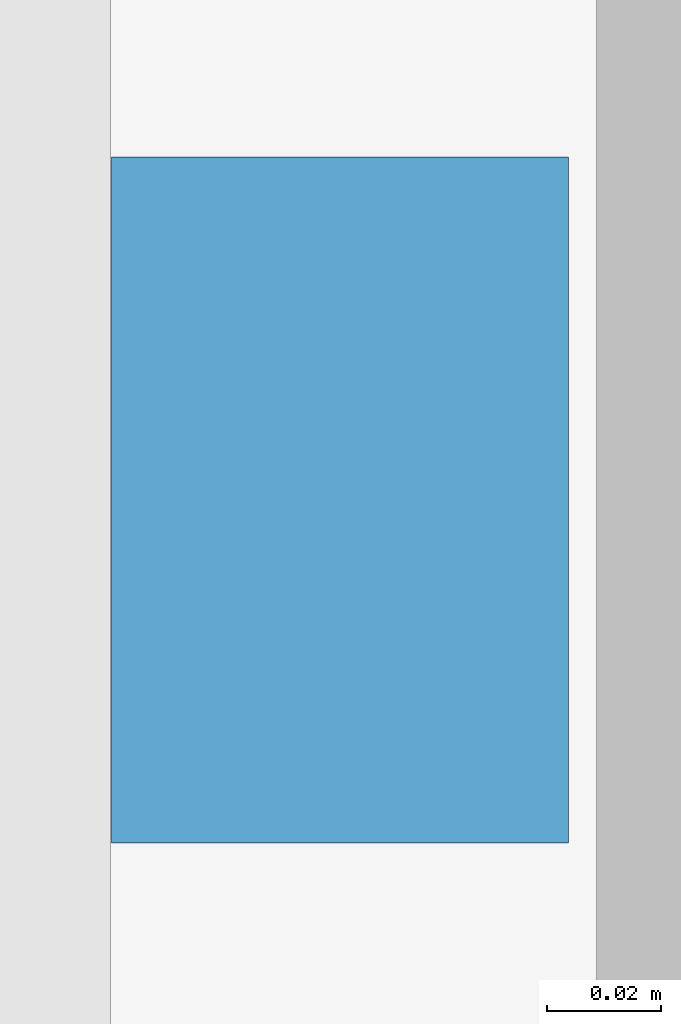
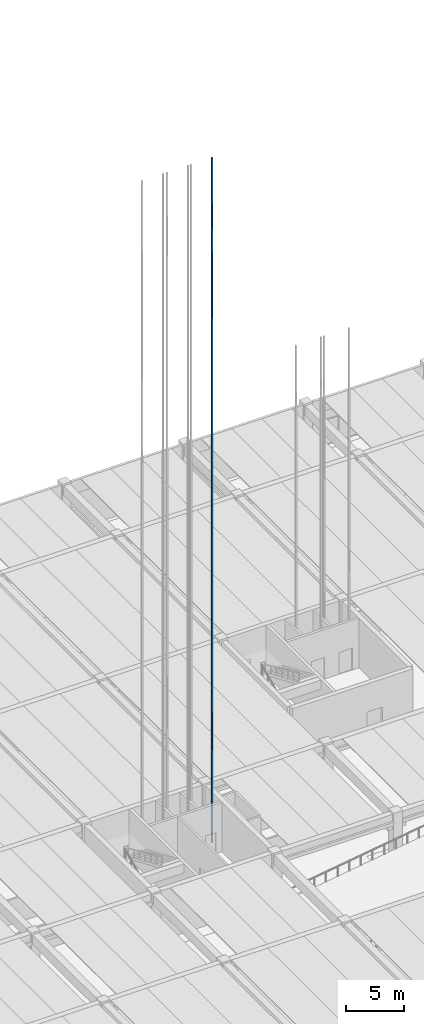
# One storey, part 42 of 59: 1 discrete accessory.
"""IFC4 building model written with IfcOpenShell, lengths in metres."""

from ifc_helpers import new_model, si_unit, direction, frame, origin, origin_2d, place, context, subcontext, project, spatial, rectangle, extrude, material, type_object, element, save


model = new_model("IFC4")

# Units and contexts
model_context = context("Model", 3, precision=1e-05, world=origin(), true_north=direction((0.0, 1.0)))
body_context = subcontext(model_context, "Body", "Model", "MODEL_VIEW")
ifc_project = project(units=[si_unit("LENGTHUNIT", "METRE"), si_unit("AREAUNIT", "SQUARE_METRE"), si_unit("VOLUMEUNIT", "CUBIC_METRE"), si_unit("PLANEANGLEUNIT", "RADIAN"), si_unit("MASSUNIT", "GRAM", prefix="KILO")], contexts=[model_context])

# Site, building, storey
site_placement = place(None, origin())
site = spatial("IfcSite", under=ifc_project, at=site_placement, CompositionType="ELEMENT")
building_placement = place(site_placement, origin())
building = spatial("IfcBuilding", under=site, at=building_placement, Name="Girod Span Mobility Hub", CompositionType="ELEMENT")
storey_placement = place(building_placement, origin())
storey = spatial("IfcBuildingStorey", under=building, at=storey_placement, Name="L00", CompositionType="ELEMENT", Elevation=0.0)

# Discrete accessory
ifc_material = material(Name="Steel A992 Grade 50", Category="steel")
discrete_accessory_type = type_object("IfcDiscreteAccessoryType", Name="ACC-LFT-RAIL", PredefinedType="USERDEFINED", material=ifc_material)
discrete_accessory_placement = place(storey_placement, frame((59.705078125, 67.300048828125, 0.0), z_axis=(0.0, 0.0, 1.0), x_axis=(1.0, 0.0, 0.0)))
element("IfcDiscreteAccessory", 1, at=discrete_accessory_placement, inside=storey, type_object=discrete_accessory_type, Name="Hoistway Guide Rail LP-2-E", ObjectType="GUIDE RAIL", PredefinedType="USERDEFINED", context=body_context, shape_type="SweptSolid", body=[
    extrude(rectangle(XDim=0.080078125, YDim=0.1201171875, at=origin_2d()), origin(), (0.0, 0.0, 1.0), 71.949951171875),
])

save(model, "model.ifc")
